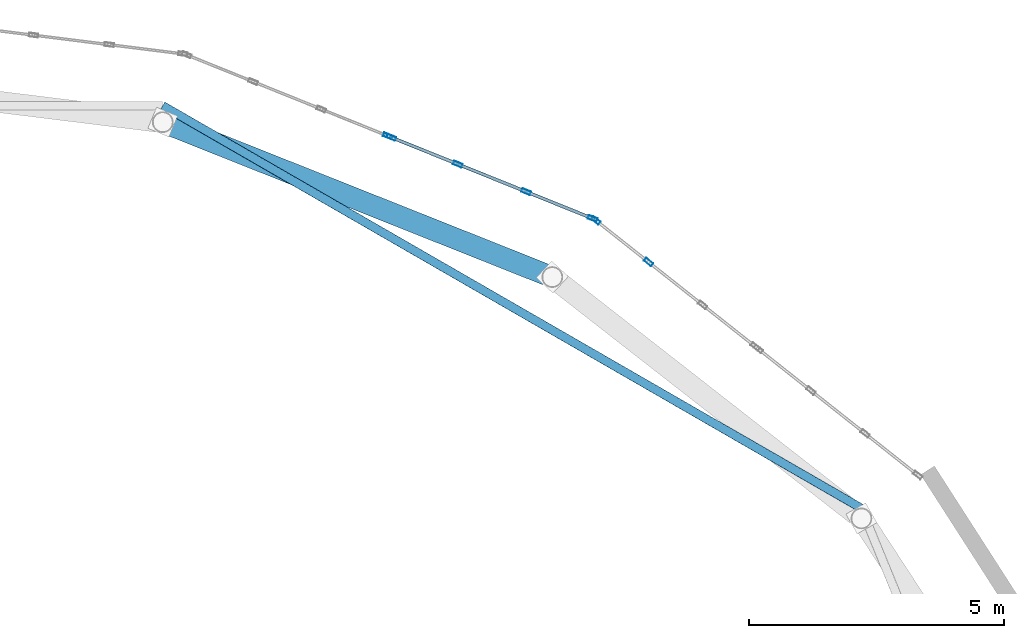
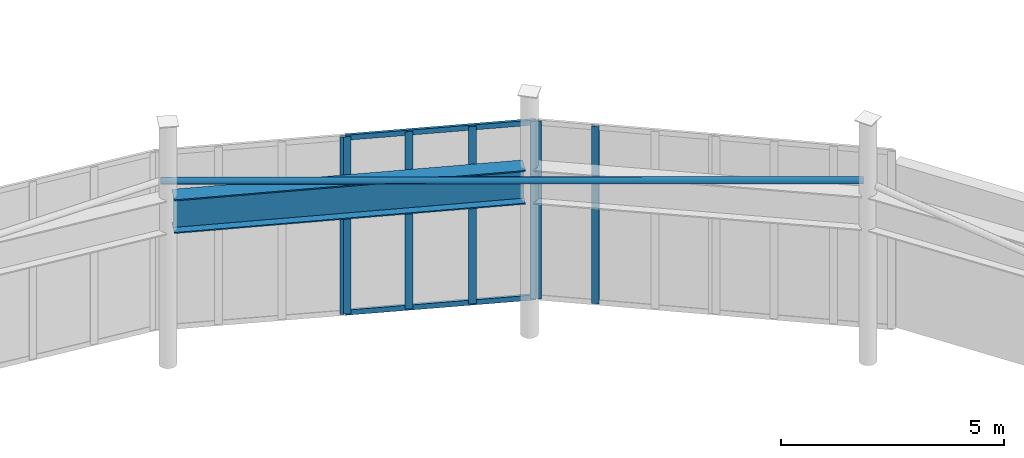
# One storey, part 37 of 91: 10 members, 1 beam, 3 elements without a shape of their own.
"""IFC4 building model written with IfcOpenShell, lengths in metres."""

import ifcopenshell
import ifcopenshell.guid

model = None  # the IFC model being written
_history = None  # IfcOwnerHistory: only IFC2X3 demands one
_inside = {}  # id of a spatial element -> (the spatial element, [elements in it])
_under = {}  # id of a project, library or spatial element -> (it, [spatial elements below it])
_declared = {}  # id of a project -> (the project, [libraries it declares])
_typed = {}  # id of a type object -> (the type object, [elements of that type])
_made_of = {}  # id of a material, layer set ... -> (it, [elements and type objects made of it])


def new_model(schema):
    """Start an empty IFC model of exactly this schema.

    Asked for "IFC4X3", IfcOpenShell would pick the latest addendum, in which some entities
    have other attributes; the version numbers below select the first issue.
    IFC2X3 requires an IfcOwnerHistory on every rooted entity: one is made here for all.
    """
    global model, _history
    if schema == "IFC4X3":
        model = ifcopenshell.file(schema_version=(4, 3, 0, 0))
    else:
        model = ifcopenshell.file(schema=schema)
    _inside.clear()
    _under.clear()
    _declared.clear()
    _typed.clear()
    _made_of.clear()
    _history = None
    if model.schema == "IFC2X3":
        org = make("IfcOrganization", Name="unknown")
        user = make(
            "IfcPersonAndOrganization",
            ThePerson=make("IfcPerson", FamilyName="unknown"),
            TheOrganization=org,
        )
        app = make(
            "IfcApplication",
            ApplicationDeveloper=org,
            Version="unknown",
            ApplicationFullName="unknown",
            ApplicationIdentifier="unknown",
        )
        _history = make(
            "IfcOwnerHistory",
            OwningUser=user,
            OwningApplication=app,
            ChangeAction="ADDED",
            CreationDate=0,
        )
    return model


def make(cls, **values):
    """One entity of the class cls with the attributes given. An attribute that is None is left unset."""
    return model.create_entity(
        cls, **{name: value for name, value in values.items() if value is not None}
    )


def rooted(cls, **values):
    """An entity with a GlobalId (a new one), such as an element, a storey or a relation."""
    return make(cls, GlobalId=ifcopenshell.guid.new(), OwnerHistory=_history, **values)


def si_unit(unit_type, name, prefix=None):
    """IfcSIUnit, for example si_unit("LENGTHUNIT", "METRE", prefix="MILLI")."""
    return make("IfcSIUnit", UnitType=unit_type, Prefix=prefix, Name=name)


def assignment(units):
    """IfcUnitAssignment: the units of a project."""
    return None if units is None else make("IfcUnitAssignment", Units=units)


def point(xyz):
    """IfcCartesianPoint."""
    return None if xyz is None else make("IfcCartesianPoint", Coordinates=xyz)


def direction(xyz):
    """IfcDirection."""
    return None if xyz is None else make("IfcDirection", DirectionRatios=xyz)


def frame(location, z_axis=None, x_axis=None):
    """IfcAxis2Placement3D, a coordinate frame: its origin and axes. An axis left out is left unset."""
    return make(
        "IfcAxis2Placement3D",
        Location=point(location),
        Axis=direction(z_axis),
        RefDirection=direction(x_axis),
    )


def frame_2d(location, x_axis=None):
    """IfcAxis2Placement2D, a coordinate frame in the plane: its origin and x axis."""
    return make(
        "IfcAxis2Placement2D", Location=point(location), RefDirection=direction(x_axis)
    )


def origin():
    """The frame at (0, 0, 0) with its axes left unset."""
    return frame((0.0, 0.0, 0.0))


def origin_2d():
    """The frame at (0, 0) in the plane with its x axis left unset."""
    return frame_2d((0.0, 0.0))


def place(relative_to, where):
    """IfcLocalPlacement: puts the frame where relative to a parent placement (None: the world)."""
    return make(
        "IfcLocalPlacement", PlacementRelTo=relative_to, RelativePlacement=where
    )


def context(
    kind, dimensions, precision=None, world=None, true_north=None, identifier=None
):
    """IfcGeometricRepresentationContext, for example the 3D "Model" context."""
    return make(
        "IfcGeometricRepresentationContext",
        ContextIdentifier=identifier,
        ContextType=kind,
        CoordinateSpaceDimension=dimensions,
        Precision=precision,
        WorldCoordinateSystem=world,
        TrueNorth=true_north,
    )


def subcontext(parent, identifier, kind, view, scale=None):
    """IfcGeometricRepresentationSubContext, for example "Body" below "Model"."""
    return make(
        "IfcGeometricRepresentationSubContext",
        ContextIdentifier=identifier,
        ContextType=kind,
        ParentContext=parent,
        TargetScale=scale,
        TargetView=view,
    )


def project(units=None, contexts=None):
    """IfcProject with its units and contexts."""
    return rooted(
        "IfcProject",
        Name="project",
        RepresentationContexts=contexts,
        UnitsInContext=assignment(units),
    )


def spatial(cls, under=None, at=None, **own):
    """A site, building, storey or space (cls), placed at a placement, below another one or the project."""
    s = rooted(cls, ObjectPlacement=at, **own)
    if under is not None:
        _under.setdefault(under.id(), (under, []))[1].append(s)
    return s


def profile(cls, at=None, kind="AREA", **sizes):
    """A parametric profile (cls). Its sizes go by their IFC names, for example OverallWidth=200.0."""
    return make(cls, ProfileType=kind, Position=at, **sizes)


def hollow_rectangle(**sizes):
    """IfcRectangleHollowProfileDef."""
    return profile("IfcRectangleHollowProfileDef", **sizes)


def hollow_circle(**sizes):
    """IfcCircleHollowProfileDef."""
    return profile("IfcCircleHollowProfileDef", **sizes)


def i_section(**sizes):
    """IfcIShapeProfileDef."""
    return profile("IfcIShapeProfileDef", **sizes)


def extrude(swept, where, along, depth):
    """IfcExtrudedAreaSolid: the profile swept, set in the frame where, extruded along a direction by depth."""
    return make(
        "IfcExtrudedAreaSolid",
        SweptArea=swept,
        Position=where,
        ExtrudedDirection=direction(along),
        Depth=depth,
    )


def shape(context_of_items, identifier, shape_type, items):
    """IfcShapeRepresentation: the items that make up one representation, for example the "Body"."""
    return make(
        "IfcShapeRepresentation",
        ContextOfItems=context_of_items,
        RepresentationIdentifier=identifier,
        RepresentationType=shape_type,
        Items=items,
    )


def material(Name=None, Category=None):
    """IfcMaterial."""
    return make("IfcMaterial", Name=Name, Category=Category)


def layer(
    of_material, thickness, ventilated=None, Name=None, Category=None, Priority=None
):
    """IfcMaterialLayer: one layer of a wall or slab, of a material (None: an air gap)."""
    return make(
        "IfcMaterialLayer",
        Material=of_material,
        LayerThickness=thickness,
        IsVentilated=ventilated,
        Name=Name,
        Category=Category,
        Priority=Priority,
    )


def layer_set(layers, Name=None):
    """IfcMaterialLayerSet."""
    return make("IfcMaterialLayerSet", MaterialLayers=layers, LayerSetName=Name)


def material_profile(
    of_material, cross_section, Name=None, Category=None, Priority=None
):
    """IfcMaterialProfile: a cross section and its material."""
    return make(
        "IfcMaterialProfile",
        Name=Name,
        Material=of_material,
        Profile=cross_section,
        Priority=Priority,
        Category=Category,
    )


def profile_set(profiles, Name=None, composite=None):
    """IfcMaterialProfileSet."""
    return make(
        "IfcMaterialProfileSet",
        Name=Name,
        MaterialProfiles=profiles,
        CompositeProfile=composite,
    )


def made_of(thing, what):
    """Note that an element or type object is made of a material, layer set ...; save() writes the relation."""
    if what is not None:
        _made_of.setdefault(what.id(), (what, []))[1].append(thing)
    return thing


def type_object(cls, material=None, **own):
    """A type object (cls), such as IfcWallType, which elements share."""
    return made_of(rooted(cls, **own), material)


def element(
    cls,
    number,
    at=None,
    inside=None,
    cuts=None,
    type_object=None,
    material=None,
    context=None,
    identifier="Body",
    shape_type=None,
    held_by="IfcProductDefinitionShape",
    body=None,
    shapes=None,
    **own,
):
    """One element of the class cls, such as IfcWall. Its Tag is "e" and its number.

    at: its placement. inside: the storey or other place that contains it. cuts: it is an
    opening in that element (IfcRelVoidsElement). A single representation is given by context,
    identifier, shape_type and body (its items); several are given by shapes. held_by: the class
    of the entity that holds the representations. save() writes the other relations.
    """
    e = rooted(cls, Tag="e%d" % number, ObjectPlacement=at, **own)
    if body is not None:
        shapes = [shape(context, identifier, shape_type, body)]
    if shapes is not None:
        e.Representation = make(held_by, Representations=shapes)
    if inside is not None:
        _inside.setdefault(inside.id(), (inside, []))[1].append(e)
    if cuts is not None:
        rooted(
            "IfcRelVoidsElement", RelatingBuildingElement=cuts, RelatedOpeningElement=e
        )
    if type_object is not None:
        _typed.setdefault(type_object.id(), (type_object, []))[1].append(e)
    return made_of(e, material)


def aggregate(whole, parts):
    """IfcRelAggregates: a whole, such as a stair, and the parts it consists of."""
    return rooted("IfcRelAggregates", RelatingObject=whole, RelatedObjects=parts)


def save(model, path):
    """Write the relations noted so far, then the file.

    IfcRelAggregates (storeys below a building ...), IfcRelContainedInSpatialStructure (elements
    in a storey), IfcRelDefinesByType, IfcRelAssociatesMaterial and IfcRelDeclares: one each for
    every whole, place, type object, material and project.
    """
    for whole, parts in _under.values():
        aggregate(whole, parts)
    for where, things in _inside.values():
        rooted(
            "IfcRelContainedInSpatialStructure",
            RelatedElements=things,
            RelatingStructure=where,
        )
    for kind, things in _typed.values():
        rooted("IfcRelDefinesByType", RelatedObjects=things, RelatingType=kind)
    for what, things in _made_of.values():
        rooted("IfcRelAssociatesMaterial", RelatedObjects=things, RelatingMaterial=what)
    for by, libraries in _declared.values():
        rooted("IfcRelDeclares", RelatingContext=by, RelatedDefinitions=libraries)
    model.write(path)


model = new_model("IFC4")

# Units and contexts
model_context = context("Model", 3, precision=1e-05, world=origin(), true_north=direction((0.0, 1.0)))
body_context = subcontext(model_context, "Body", "Model", "MODEL_VIEW")
ifc_project = project(units=[si_unit("LENGTHUNIT", "METRE"), si_unit("AREAUNIT", "SQUARE_METRE"), si_unit("VOLUMEUNIT", "CUBIC_METRE"), si_unit("PLANEANGLEUNIT", "RADIAN"), si_unit("MASSUNIT", "GRAM", prefix="KILO")], contexts=[model_context])

# Site, building, storey
site_placement = place(None, origin())
site = spatial("IfcSite", under=ifc_project, at=site_placement, CompositionType="ELEMENT")
building_placement = place(site_placement, origin())
building = spatial("IfcBuilding", under=site, at=building_placement, Name="Sollismere Congress Hotel", CompositionType="ELEMENT")
storey_placement = place(building_placement, frame((0.0, 0.0, 10.800048828125)))
storey = spatial("IfcBuildingStorey", under=building, at=storey_placement, Name="L02", CompositionType="ELEMENT", Elevation=10.800048828125)

# Beam
ifc_material_1 = material(Name="Steel ASTM A992 Grade 50", Category="steel")
ifc_material_profile_1 = material_profile(ifc_material_1, i_section(OverallWidth=0.4189453125, OverallDepth=0.927001953125, WebThickness=0.019287109375, FlangeThickness=0.031982421875, at=origin_2d()), Name="W36X231")
ifc_profile_set_1 = profile_set([ifc_material_profile_1], Name="Steel ASTM A992 Grade 50")
beam_type = type_object("IfcBeamType", Name="BM-RG36", PredefinedType="SPANDREL", material=ifc_profile_set_1)
beam_placement = place(storey_placement, frame((44.96435546875, 107.716796875, 4.156494140625), z_axis=(-0.92919785881, 0.369582655414, 0.0), x_axis=(-0.369582655414, -0.92919785881, 0.0)))
element("IfcBeam", 1, at=beam_placement, inside=storey, type_object=beam_type, Name="Beam BM-L02-4209", PredefinedType="SPANDREL", context=body_context, shape_type="SweptSolid", body=[
    extrude(i_section(OverallWidth=0.4189453125, OverallDepth=0.927001953125, WebThickness=0.019287109375, FlangeThickness=0.031982421875, at=origin_2d()), origin(), (0.0, 0.0, 1.0), 7.96533203125),
])

# Member
ifc_material_2 = material(Name="Steel ASTM A500 Grade C", Category="steel")
ifc_material_profile_2 = material_profile(ifc_material_2, hollow_circle(Radius=0.083984375, WallThickness=0.008056640625, at=origin_2d()), Name="CHS168X8")
ifc_profile_set_2 = profile_set([ifc_material_profile_2], Name="Steel ASTM A500 Grade C")
member_type_1 = type_object("IfcMemberType", Name="MB-TI168", PredefinedType="STRINGER", material=ifc_profile_set_2)
member_1_placement = place(storey_placement, frame((51.124267578125, 103.1484375, 4.820068359375), z_axis=(-0.866451516646, 0.499261223511, 0.0), x_axis=(-0.499261223511, -0.866451516646, 0.0)))
element("IfcMember", 2, at=member_1_placement, inside=storey, type_object=member_type_1, Name="MEM-DT-02", PredefinedType="STRINGER", context=body_context, shape_type="SweptSolid", body=[
    extrude(hollow_circle(Radius=0.083984375, WallThickness=0.008056640625, at=origin_2d()), origin(), (0.0, 0.0, 1.0), 15.78125),
])

# Curtain wall, members
ifc_material_3 = material(Name="Anodized Bronze Curtain Wall & Low-E Triple Glazing", Category="glass")
ifc_layer = layer(ifc_material_3, 0.199951171875, Name="Anodized Bronze Curtain Wall & Low-E Triple Glazing")
ifc_layer_set = layer_set([ifc_layer], Name="Anodized Bronze Curtain Wall & Low-E Triple Glazing")
curtain_wall_type = type_object("IfcCurtainWallType", Name="CW-GLZ36", PredefinedType="USERDEFINED", material=ifc_layer_set)
curtain_wall_1_placement = place(storey_placement, origin())
curtain_wall_1 = element("IfcCurtainWall", 3, at=curtain_wall_1_placement, inside=storey, type_object=curtain_wall_type, Name="Unitised curtain wall CW-L02-006", ObjectType="UNITISED CURTAIN WALL", PredefinedType="USERDEFINED")
ifc_material_4 = material(Name="Anodized Aluminum 6063-T6", Category="aluminium")
ifc_material_profile_3 = material_profile(ifc_material_4, hollow_rectangle(XDim=0.074951171875, YDim=0.179931640625, WallThickness=0.0048828125, at=origin_2d()), Name="ALU180X75X5")
ifc_profile_set_3 = profile_set([ifc_material_profile_3], Name="Anodized Aluminum 6063-T6")
member_type_2 = type_object("IfcMemberType", Name="ML-CW180", PredefinedType="MULLION", material=ifc_profile_set_3)
member_2_placement = place(storey_placement, frame((46.958984375, 107.96630859375, 0.0), z_axis=(0.0, 0.0, 1.0), x_axis=(-0.620532077362, -0.784181063891, 0.0)))
member_2 = element("IfcMember", 4, at=member_2_placement, type_object=member_type_2, Name="CWL-CW-L02-006-ML03", PredefinedType="MULLION", context=body_context, shape_type="SweptSolid", body=[
    extrude(hollow_rectangle(XDim=0.074951171875, YDim=0.179931640625, WallThickness=0.0048828125, at=origin_2d()), origin(), (0.0, 0.0, 1.0), 4.85986328125),
])
member_3_placement = place(storey_placement, frame((45.9287109375, 108.781494140625, 0.0), z_axis=(0.0, 0.0, 1.0), x_axis=(-0.620532077362, -0.784181063891, 0.0)))
member_3 = element("IfcMember", 5, at=member_3_placement, type_object=member_type_2, Name="CWL-CW-L02-006-ML04", PredefinedType="MULLION", context=body_context, shape_type="SweptSolid", body=[
    extrude(hollow_rectangle(XDim=0.074951171875, YDim=0.179931640625, WallThickness=0.0048828125, at=origin_2d()), origin(), (0.0, 0.0, 1.0), 4.85986328125),
])
aggregate(curtain_wall_1, [member_2, member_3])

curtain_wall_2_placement = place(storey_placement, origin())
curtain_wall_2 = element("IfcCurtainWall", 6, at=curtain_wall_2_placement, inside=storey, type_object=curtain_wall_type, Name="Unitised curtain wall CW-L02-009", ObjectType="UNITISED CURTAIN WALL", PredefinedType="USERDEFINED")
member_4_placement = place(storey_placement, frame((45.863525390625, 108.8193359375, 0.0), z_axis=(0.0, 0.0, 1.0), x_axis=(-0.373943018709, -0.927451680013, 0.0)))
member_4 = element("IfcMember", 7, at=member_4_placement, type_object=member_type_2, Name="CWL-CW-L02-009-ML01", PredefinedType="MULLION", context=body_context, shape_type="SweptSolid", body=[
    extrude(hollow_rectangle(XDim=0.074951171875, YDim=0.179931640625, WallThickness=0.0048828125, at=origin_2d()), origin(), (0.0, 0.0, 1.0), 4.85986328125),
])
member_5_placement = place(storey_placement, frame((44.56298828125, 109.34375, 0.0), z_axis=(0.0, 0.0, 1.0), x_axis=(-0.373943018709, -0.927451680013, 0.0)))
member_5 = element("IfcMember", 8, at=member_5_placement, type_object=member_type_2, Name="CWL-CW-L02-009-ML02", PredefinedType="MULLION", context=body_context, shape_type="SweptSolid", body=[
    extrude(hollow_rectangle(XDim=0.074951171875, YDim=0.179931640625, WallThickness=0.0048828125, at=origin_2d()), origin(), (0.0, 0.0, 1.0), 4.85986328125),
])
member_6_placement = place(storey_placement, frame((43.227294921875, 109.882080078125, 0.0), z_axis=(0.0, 0.0, 1.0), x_axis=(-0.373943018709, -0.927451680013, 0.0)))
member_6 = element("IfcMember", 9, at=member_6_placement, type_object=member_type_2, Name="CWL-CW-L02-009-ML03", PredefinedType="MULLION", context=body_context, shape_type="SweptSolid", body=[
    extrude(hollow_rectangle(XDim=0.074951171875, YDim=0.179931640625, WallThickness=0.0048828125, at=origin_2d()), origin(), (0.0, 0.0, 1.0), 4.85986328125),
])
member_7_placement = place(storey_placement, frame((41.9267578125, 110.406494140625, 0.0), z_axis=(0.0, 0.0, 1.0), x_axis=(-0.373943018709, -0.927451680013, 0.0)))
member_7 = element("IfcMember", 10, at=member_7_placement, type_object=member_type_2, Name="CWL-CW-L02-009-ML04", PredefinedType="MULLION", context=body_context, shape_type="SweptSolid", body=[
    extrude(hollow_rectangle(XDim=0.074951171875, YDim=0.179931640625, WallThickness=0.0048828125, at=origin_2d()), origin(), (0.0, 0.0, 1.0), 4.85986328125),
])

# Curtain wall, member
curtain_wall_3_placement = place(storey_placement, origin())
curtain_wall_3 = element("IfcCurtainWall", 11, at=curtain_wall_3_placement, inside=storey, type_object=curtain_wall_type, Name="Unitised curtain wall CW-L02-010", ObjectType="UNITISED CURTAIN WALL", PredefinedType="USERDEFINED")
member_8_placement = place(storey_placement, frame((41.856201171875, 110.43505859375, 0.0), z_axis=(0.0, 0.0, 1.0), x_axis=(-0.373943018709, -0.927451680013, 0.0)))
member_8 = element("IfcMember", 12, at=member_8_placement, type_object=member_type_2, Name="CWL-CW-L02-010-ML01", PredefinedType="MULLION", context=body_context, shape_type="SweptSolid", body=[
    extrude(hollow_rectangle(XDim=0.074951171875, YDim=0.179931640625, WallThickness=0.0048828125, at=origin_2d()), origin(), (0.0, 0.0, 1.0), 4.85986328125),
])
aggregate(curtain_wall_3, [member_8])

# Member
ifc_material_profile_4 = material_profile(ifc_material_4, hollow_rectangle(XDim=0.06494140625, YDim=0.139892578125, WallThickness=0.00390625, at=origin_2d()), Name="ALU140X65X4")
ifc_profile_set_4 = profile_set([ifc_material_profile_4], Name="Anodized Aluminum 6063-T6")
member_type_3 = type_object("IfcMemberType", Name="TR-CW150", PredefinedType="MEMBER", material=ifc_profile_set_4)
member_9_placement = place(storey_placement, frame((45.898681640625, 108.80517578125, 0.032470703125), z_axis=(-0.927444316939, 0.373961280052, 0.0), x_axis=(-0.373961280052, -0.927444316939, 0.0)))
member_9 = element("IfcMember", 13, at=member_9_placement, type_object=member_type_3, Name="CWL-CW-L02-009-TR1", PredefinedType="MEMBER", context=body_context, shape_type="SweptSolid", body=[
    extrude(hollow_rectangle(XDim=0.06494140625, YDim=0.139892578125, WallThickness=0.00390625, at=origin_2d()), origin(), (0.0, 0.0, 1.0), 4.320556640625),
])

member_10_placement = place(storey_placement, frame((45.898681640625, 108.80517578125, 4.827392578125), z_axis=(-0.927444316939, 0.373961280052, 0.0), x_axis=(-0.373961280052, -0.927444316939, 0.0)))
member_10 = element("IfcMember", 14, at=member_10_placement, type_object=member_type_3, Name="CWL-CW-L02-009-TR2", PredefinedType="MEMBER", context=body_context, shape_type="SweptSolid", body=[
    extrude(hollow_rectangle(XDim=0.06494140625, YDim=0.139892578125, WallThickness=0.00390625, at=origin_2d()), origin(), (0.0, 0.0, 1.0), 4.320556640625),
])

aggregate(curtain_wall_2, [member_4, member_5, member_6, member_7, member_9, member_10])

save(model, "model.ifc")
